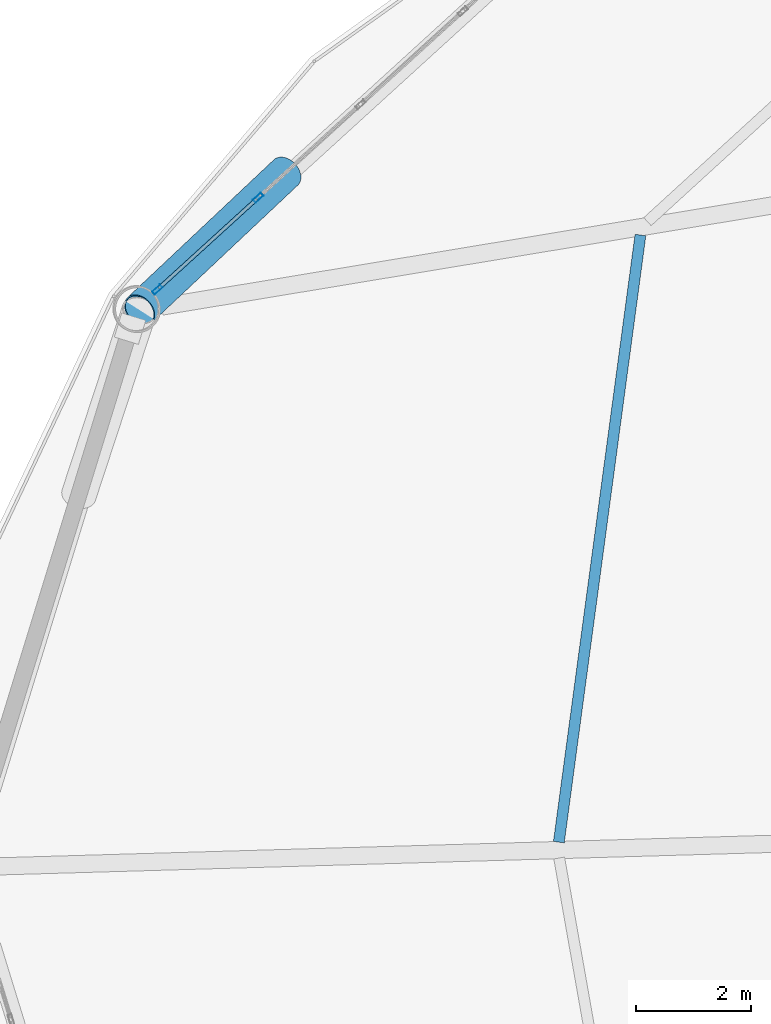
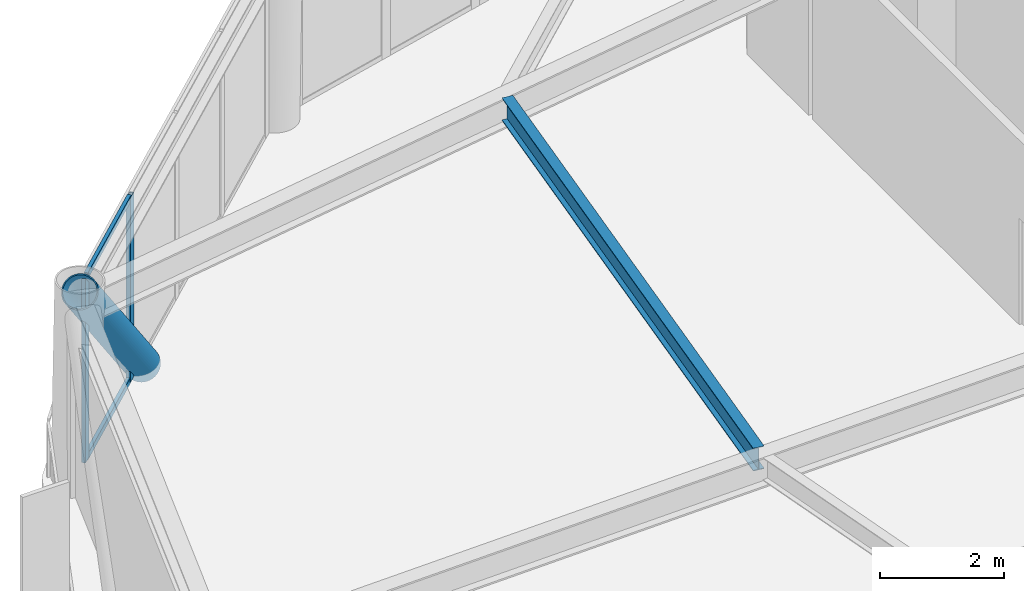
# One storey, part 9 of 23: 5 members, 1 beam, 1 element without a shape of its own.
"""IFC4 building model written with IfcOpenShell, lengths in metres."""

from ifc_helpers import new_model, si_unit, direction, frame, origin, origin_2d, place, context, subcontext, project, spatial, hollow_rectangle, hollow_circle, i_section, extrude, material, layer, layer_set, material_profile, profile_set, type_object, element, aggregate, save


model = new_model("IFC4")

# Units and contexts
model_context = context("Model", 3, precision=1e-05, world=origin(), true_north=direction((0.0, 1.0)))
body_context = subcontext(model_context, "Body", "Model", "MODEL_VIEW")
ifc_project = project(units=[si_unit("LENGTHUNIT", "METRE"), si_unit("AREAUNIT", "SQUARE_METRE"), si_unit("VOLUMEUNIT", "CUBIC_METRE"), si_unit("PLANEANGLEUNIT", "RADIAN"), si_unit("MASSUNIT", "GRAM", prefix="KILO")], contexts=[model_context])

# Site, building, storey
site_placement = place(None, origin())
site = spatial("IfcSite", under=ifc_project, at=site_placement, CompositionType="ELEMENT")
building_placement = place(site_placement, origin())
building = spatial("IfcBuilding", under=site, at=building_placement, Name="Varnakorn Sky Granary", CompositionType="ELEMENT")
storey_placement = place(building_placement, frame((0.0, 0.0, 107.10009765625)))
storey = spatial("IfcBuildingStorey", under=building, at=storey_placement, Name="L26", CompositionType="ELEMENT", Elevation=107.10009765625)

# Beam
ifc_material_1 = material(Name="Steel S355JR", Category="steel")
ifc_material_profile_1 = material_profile(ifc_material_1, i_section(OverallWidth=0.18994140625, OverallDepth=0.449951171875, WebThickness=0.009521484375, FlangeThickness=0.0146484375, at=origin_2d()), Name="IPE 450")
ifc_profile_set_1 = profile_set([ifc_material_profile_1], Name="Steel S355JR")
beam_type = type_object("IfcBeamType", Name="BM-SEC-Z2", PredefinedType="BEAM", material=ifc_profile_set_1)
beam_placement = place(storey_placement, frame((-11.222412109375, 11.026123046875, 3.414794921875), z_axis=(-0.133213010566, -0.991087429956, 0.0), x_axis=(0.991087429956, -0.133213010566, 0.0)))
element("IfcBeam", 1, at=beam_placement, inside=storey, type_object=beam_type, Name="Secondary Floor Chord Beam MSB06 L26", PredefinedType="BEAM", context=body_context, shape_type="SweptSolid", body=[
    extrude(i_section(OverallWidth=0.18994140625, OverallDepth=0.449951171875, WebThickness=0.009521484375, FlangeThickness=0.0146484375, at=origin_2d()), origin(), (0.0, 0.0, 1.0), 10.682861328125),
])

# Curtain wall, members
ifc_material_2 = material(Name="Anodised Bronze Aluminium Alloy 6063-T6", Category="aluminium")
ifc_layer = layer(ifc_material_2, 0.179931640625, Name="Anodised Bronze Aluminium Alloy 6063-T6")
ifc_layer_set = layer_set([ifc_layer], Name="Anodised Bronze Aluminium Alloy 6063-T6")
curtain_wall_type = type_object("IfcCurtainWallType", Name="CW-FRM-2", PredefinedType="USERDEFINED", material=ifc_layer_set)
curtain_wall_placement = place(storey_placement, origin())
curtain_wall = element("IfcCurtainWall", 2, at=curtain_wall_placement, inside=storey, type_object=curtain_wall_type, Name="Unitised Curtain Wall CW4 CW-L26-B05", ObjectType="CURTAIN WALL", PredefinedType="USERDEFINED")
ifc_material_profile_2 = material_profile(ifc_material_2, hollow_rectangle(XDim=0.070068359375, YDim=0.18505859375, WallThickness=0.00390625, at=origin_2d()), Name="ALU MULL 70x185")
ifc_profile_set_2 = profile_set([ifc_material_profile_2], Name="Anodised Bronze Aluminium Alloy 6063-T6")
member_type_1 = type_object("IfcMemberType", Name="CW-FRM-2-MULL", PredefinedType="MULLION", material=ifc_profile_set_2)
member_1_placement = place(storey_placement, frame((-19.646728515625, 10.076171875, 0.0), z_axis=(0.0, 0.0, 1.0), x_axis=(-0.673414398116, 0.73926520844, 0.0)))
member_1 = element("IfcMember", 3, at=member_1_placement, type_object=member_type_1, Name="CW4 mullion 1", PredefinedType="MULLION", context=body_context, shape_type="SweptSolid", body=[
    extrude(hollow_rectangle(XDim=0.070068359375, YDim=0.18505859375, WallThickness=0.00390625, at=origin_2d()), origin(), (0.0, 0.0, 1.0), 3.639892578125),
])
member_2_placement = place(storey_placement, frame((-17.888427734375, 11.677734375, 0.0), z_axis=(0.0, 0.0, 1.0), x_axis=(-0.673414398116, 0.73926520844, 0.0)))
member_2 = element("IfcMember", 4, at=member_2_placement, type_object=member_type_1, Name="CW4 mullion 2", PredefinedType="MULLION", context=body_context, shape_type="SweptSolid", body=[
    extrude(hollow_rectangle(XDim=0.070068359375, YDim=0.18505859375, WallThickness=0.00390625, at=origin_2d()), origin(), (0.0, 0.0, 1.0), 3.639892578125),
])
ifc_material_profile_3 = material_profile(ifc_material_2, hollow_rectangle(XDim=0.06494140625, YDim=0.1201171875, WallThickness=0.00341796875, at=origin_2d()), Name="ALU TRAN 65x120")
ifc_profile_set_3 = profile_set([ifc_material_profile_3], Name="Anodised Bronze Aluminium Alloy 6063-T6")
member_type_2 = type_object("IfcMemberType", Name="CW-FRM-2-TRAN", PredefinedType="USERDEFINED", material=ifc_profile_set_3)
member_3_placement = place(storey_placement, frame((-19.620849609375, 10.099853515625, 0.032470703125), z_axis=(0.739284086407, 0.673393673556, 0.0), x_axis=(-0.673393673556, 0.739284086407, 0.0)))
member_3 = element("IfcMember", 5, at=member_3_placement, type_object=member_type_2, Name="CW4 transom 1.1", ObjectType="TRANSOM", PredefinedType="USERDEFINED", context=body_context, shape_type="SweptSolid", body=[
    extrude(hollow_rectangle(XDim=0.06494140625, YDim=0.1201171875, WallThickness=0.00341796875, at=origin_2d()), origin(), (0.0, 0.0, 1.0), 2.308349609375),
])
member_4_placement = place(storey_placement, frame((-19.620849609375, 10.099853515625, 3.607421875), z_axis=(0.739284086407, 0.673393673556, 0.0), x_axis=(-0.673393673556, 0.739284086407, 0.0)))
member_4 = element("IfcMember", 6, at=member_4_placement, type_object=member_type_2, Name="CW4 transom 1.2", ObjectType="TRANSOM", PredefinedType="USERDEFINED", context=body_context, shape_type="SweptSolid", body=[
    extrude(hollow_rectangle(XDim=0.06494140625, YDim=0.1201171875, WallThickness=0.00341796875, at=origin_2d()), origin(), (0.0, 0.0, 1.0), 2.308349609375),
])
aggregate(curtain_wall, [member_1, member_2, member_3, member_4])

# Member
ifc_material_3 = material(Name="Steel S460M", Category="steel")
ifc_material_profile_4 = material_profile(ifc_material_3, hollow_circle(Radius=0.304931640625, WallThickness=0.022216796875, at=origin_2d()), Name="CHS 610x22")
ifc_profile_set_4 = profile_set([ifc_material_profile_4], Name="Steel S460M")
member_type_3 = type_object("IfcMemberType", Name="MB-DIAG-T1", PredefinedType="BRACE", material=ifc_profile_set_4)
member_5_placement = place(storey_placement, frame((-17.40869140625, 12.114990234375, -0.130126953125), z_axis=(-0.495645683327, -0.466467728388, 0.732627610025), x_axis=(0.685347304338, -0.728216363753, 0.0)))
element("IfcMember", 7, at=member_5_placement, inside=storey, type_object=member_type_3, Name="Perimeter CHS Diagrid Brace DG05 L26", PredefinedType="BRACE", context=body_context, shape_type="SweptSolid", body=[
    extrude(hollow_circle(Radius=0.304931640625, WallThickness=0.022216796875, at=origin_2d()), origin(), (0.0, 0.0, 1.0), 5.14599609375),
])

save(model, "model.ifc")
